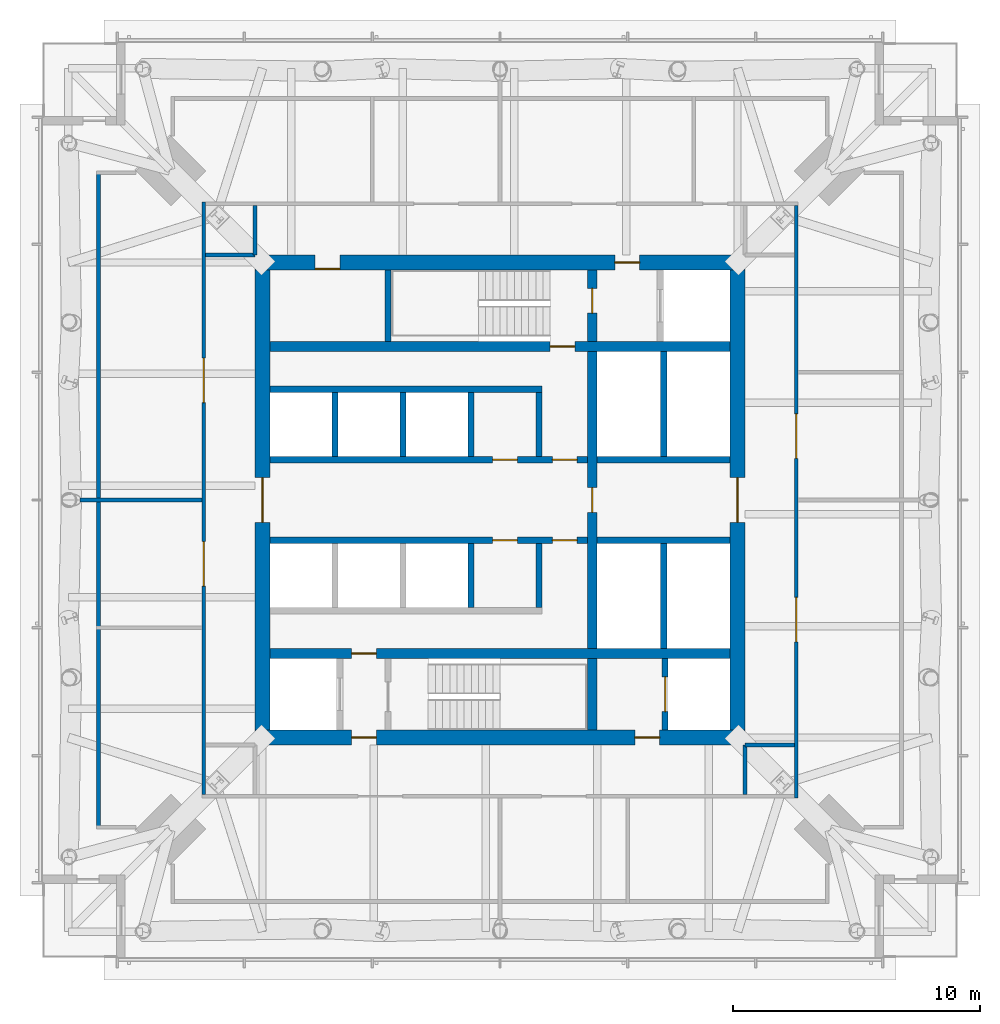
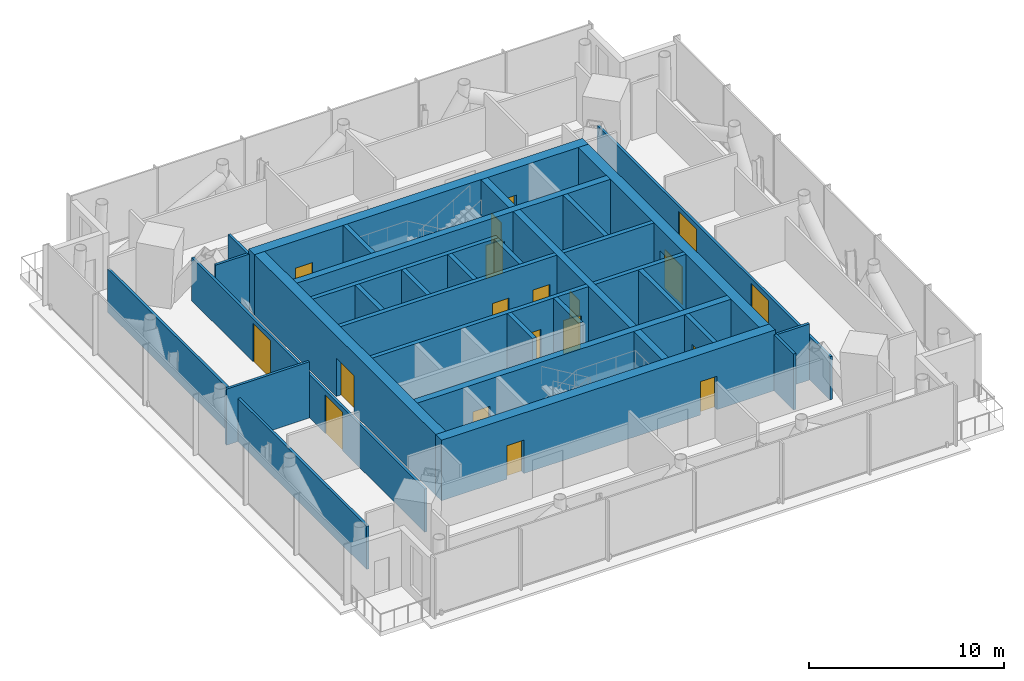
# One storey, part 5 of 10: 32 walls, 19 doors, 19 openings.
"""IFC4 building model written with IfcOpenShell, lengths in metres."""

import ifcopenshell
import ifcopenshell.guid

model = None  # the IFC model being written
_history = None  # IfcOwnerHistory: only IFC2X3 demands one
_inside = {}  # id of a spatial element -> (the spatial element, [elements in it])
_under = {}  # id of a project, library or spatial element -> (it, [spatial elements below it])
_declared = {}  # id of a project -> (the project, [libraries it declares])
_typed = {}  # id of a type object -> (the type object, [elements of that type])
_made_of = {}  # id of a material, layer set ... -> (it, [elements and type objects made of it])


def new_model(schema):
    """Start an empty IFC model of exactly this schema.

    Asked for "IFC4X3", IfcOpenShell would pick the latest addendum, in which some entities
    have other attributes; the version numbers below select the first issue.
    IFC2X3 requires an IfcOwnerHistory on every rooted entity: one is made here for all.
    """
    global model, _history
    if schema == "IFC4X3":
        model = ifcopenshell.file(schema_version=(4, 3, 0, 0))
    else:
        model = ifcopenshell.file(schema=schema)
    _inside.clear()
    _under.clear()
    _declared.clear()
    _typed.clear()
    _made_of.clear()
    _history = None
    if model.schema == "IFC2X3":
        org = make("IfcOrganization", Name="unknown")
        user = make(
            "IfcPersonAndOrganization",
            ThePerson=make("IfcPerson", FamilyName="unknown"),
            TheOrganization=org,
        )
        app = make(
            "IfcApplication",
            ApplicationDeveloper=org,
            Version="unknown",
            ApplicationFullName="unknown",
            ApplicationIdentifier="unknown",
        )
        _history = make(
            "IfcOwnerHistory",
            OwningUser=user,
            OwningApplication=app,
            ChangeAction="ADDED",
            CreationDate=0,
        )
    return model


def make(cls, **values):
    """One entity of the class cls with the attributes given. An attribute that is None is left unset."""
    return model.create_entity(
        cls, **{name: value for name, value in values.items() if value is not None}
    )


def rooted(cls, **values):
    """An entity with a GlobalId (a new one), such as an element, a storey or a relation."""
    return make(cls, GlobalId=ifcopenshell.guid.new(), OwnerHistory=_history, **values)


def si_unit(unit_type, name, prefix=None):
    """IfcSIUnit, for example si_unit("LENGTHUNIT", "METRE", prefix="MILLI")."""
    return make("IfcSIUnit", UnitType=unit_type, Prefix=prefix, Name=name)


def assignment(units):
    """IfcUnitAssignment: the units of a project."""
    return None if units is None else make("IfcUnitAssignment", Units=units)


def point(xyz):
    """IfcCartesianPoint."""
    return None if xyz is None else make("IfcCartesianPoint", Coordinates=xyz)


def direction(xyz):
    """IfcDirection."""
    return None if xyz is None else make("IfcDirection", DirectionRatios=xyz)


def frame(location, z_axis=None, x_axis=None):
    """IfcAxis2Placement3D, a coordinate frame: its origin and axes. An axis left out is left unset."""
    return make(
        "IfcAxis2Placement3D",
        Location=point(location),
        Axis=direction(z_axis),
        RefDirection=direction(x_axis),
    )


def frame_2d(location, x_axis=None):
    """IfcAxis2Placement2D, a coordinate frame in the plane: its origin and x axis."""
    return make(
        "IfcAxis2Placement2D", Location=point(location), RefDirection=direction(x_axis)
    )


def origin():
    """The frame at (0, 0, 0) with its axes left unset."""
    return frame((0.0, 0.0, 0.0))


def place(relative_to, where):
    """IfcLocalPlacement: puts the frame where relative to a parent placement (None: the world)."""
    return make(
        "IfcLocalPlacement", PlacementRelTo=relative_to, RelativePlacement=where
    )


def context(
    kind, dimensions, precision=None, world=None, true_north=None, identifier=None
):
    """IfcGeometricRepresentationContext, for example the 3D "Model" context."""
    return make(
        "IfcGeometricRepresentationContext",
        ContextIdentifier=identifier,
        ContextType=kind,
        CoordinateSpaceDimension=dimensions,
        Precision=precision,
        WorldCoordinateSystem=world,
        TrueNorth=true_north,
    )


def subcontext(parent, identifier, kind, view, scale=None):
    """IfcGeometricRepresentationSubContext, for example "Body" below "Model"."""
    return make(
        "IfcGeometricRepresentationSubContext",
        ContextIdentifier=identifier,
        ContextType=kind,
        ParentContext=parent,
        TargetScale=scale,
        TargetView=view,
    )


def project(units=None, contexts=None):
    """IfcProject with its units and contexts."""
    return rooted(
        "IfcProject",
        Name="project",
        RepresentationContexts=contexts,
        UnitsInContext=assignment(units),
    )


def spatial(cls, under=None, at=None, **own):
    """A site, building, storey or space (cls), placed at a placement, below another one or the project."""
    s = rooted(cls, ObjectPlacement=at, **own)
    if under is not None:
        _under.setdefault(under.id(), (under, []))[1].append(s)
    return s


def profile(cls, at=None, kind="AREA", **sizes):
    """A parametric profile (cls). Its sizes go by their IFC names, for example OverallWidth=200.0."""
    return make(cls, ProfileType=kind, Position=at, **sizes)


def rectangle(**sizes):
    """IfcRectangleProfileDef."""
    return profile("IfcRectangleProfileDef", **sizes)


def extrude(swept, where, along, depth):
    """IfcExtrudedAreaSolid: the profile swept, set in the frame where, extruded along a direction by depth."""
    return make(
        "IfcExtrudedAreaSolid",
        SweptArea=swept,
        Position=where,
        ExtrudedDirection=direction(along),
        Depth=depth,
    )


def shape(context_of_items, identifier, shape_type, items):
    """IfcShapeRepresentation: the items that make up one representation, for example the "Body"."""
    return make(
        "IfcShapeRepresentation",
        ContextOfItems=context_of_items,
        RepresentationIdentifier=identifier,
        RepresentationType=shape_type,
        Items=items,
    )


def material(Name=None, Category=None):
    """IfcMaterial."""
    return make("IfcMaterial", Name=Name, Category=Category)


def layer(
    of_material, thickness, ventilated=None, Name=None, Category=None, Priority=None
):
    """IfcMaterialLayer: one layer of a wall or slab, of a material (None: an air gap)."""
    return make(
        "IfcMaterialLayer",
        Material=of_material,
        LayerThickness=thickness,
        IsVentilated=ventilated,
        Name=Name,
        Category=Category,
        Priority=Priority,
    )


def layer_set(layers, Name=None):
    """IfcMaterialLayerSet."""
    return make("IfcMaterialLayerSet", MaterialLayers=layers, LayerSetName=Name)


def made_of(thing, what):
    """Note that an element or type object is made of a material, layer set ...; save() writes the relation."""
    if what is not None:
        _made_of.setdefault(what.id(), (what, []))[1].append(thing)
    return thing


def type_object(cls, material=None, **own):
    """A type object (cls), such as IfcWallType, which elements share."""
    return made_of(rooted(cls, **own), material)


def element(
    cls,
    number,
    at=None,
    inside=None,
    cuts=None,
    type_object=None,
    material=None,
    context=None,
    identifier="Body",
    shape_type=None,
    held_by="IfcProductDefinitionShape",
    body=None,
    shapes=None,
    **own,
):
    """One element of the class cls, such as IfcWall. Its Tag is "e" and its number.

    at: its placement. inside: the storey or other place that contains it. cuts: it is an
    opening in that element (IfcRelVoidsElement). A single representation is given by context,
    identifier, shape_type and body (its items); several are given by shapes. held_by: the class
    of the entity that holds the representations. save() writes the other relations.
    """
    e = rooted(cls, Tag="e%d" % number, ObjectPlacement=at, **own)
    if body is not None:
        shapes = [shape(context, identifier, shape_type, body)]
    if shapes is not None:
        e.Representation = make(held_by, Representations=shapes)
    if inside is not None:
        _inside.setdefault(inside.id(), (inside, []))[1].append(e)
    if cuts is not None:
        rooted(
            "IfcRelVoidsElement", RelatingBuildingElement=cuts, RelatedOpeningElement=e
        )
    if type_object is not None:
        _typed.setdefault(type_object.id(), (type_object, []))[1].append(e)
    return made_of(e, material)


def fill(opening, filler):
    """IfcRelFillsElement: the door or window that sits in an opening."""
    return rooted(
        "IfcRelFillsElement",
        RelatingOpeningElement=opening,
        RelatedBuildingElement=filler,
    )


def aggregate(whole, parts):
    """IfcRelAggregates: a whole, such as a stair, and the parts it consists of."""
    return rooted("IfcRelAggregates", RelatingObject=whole, RelatedObjects=parts)


def save(model, path):
    """Write the relations noted so far, then the file.

    IfcRelAggregates (storeys below a building ...), IfcRelContainedInSpatialStructure (elements
    in a storey), IfcRelDefinesByType, IfcRelAssociatesMaterial and IfcRelDeclares: one each for
    every whole, place, type object, material and project.
    """
    for whole, parts in _under.values():
        aggregate(whole, parts)
    for where, things in _inside.values():
        rooted(
            "IfcRelContainedInSpatialStructure",
            RelatedElements=things,
            RelatingStructure=where,
        )
    for kind, things in _typed.values():
        rooted("IfcRelDefinesByType", RelatedObjects=things, RelatingType=kind)
    for what, things in _made_of.values():
        rooted("IfcRelAssociatesMaterial", RelatedObjects=things, RelatingMaterial=what)
    for by, libraries in _declared.values():
        rooted("IfcRelDeclares", RelatingContext=by, RelatedDefinitions=libraries)
    model.write(path)


model = new_model("IFC4")

# Units and contexts
model_context = context("Model", 3, precision=1e-05, world=origin(), true_north=direction((0.0, 1.0)))
body_context = subcontext(model_context, "Body", "Model", "MODEL_VIEW")
ifc_project = project(units=[si_unit("LENGTHUNIT", "METRE"), si_unit("AREAUNIT", "SQUARE_METRE"), si_unit("VOLUMEUNIT", "CUBIC_METRE"), si_unit("PLANEANGLEUNIT", "RADIAN"), si_unit("MASSUNIT", "GRAM", prefix="KILO")], contexts=[model_context])

# Site, building, storey
site_placement = place(None, origin())
site = spatial("IfcSite", under=ifc_project, at=site_placement, CompositionType="ELEMENT")
building_placement = place(site_placement, origin())
building = spatial("IfcBuilding", under=site, at=building_placement, Name="Ostroluk Exchange", CompositionType="ELEMENT")
storey_placement = place(building_placement, frame((0.0, 0.0, 226.199951171875)))
storey = spatial("IfcBuildingStorey", under=building, at=storey_placement, Name="L58", CompositionType="ELEMENT", Elevation=226.199951171875)

# Wall, openings, doors
ifc_material_1 = material(Name="Concrete blockwork", Category="masonry")
ifc_layer_1 = layer(ifc_material_1, 0.14990234375)
ifc_layer_set_1 = layer_set([ifc_layer_1], Name="Blockwork plant room wall 150")
wall_type_1 = type_object("IfcWallType", Name="Blockwork plant room wall 150", PredefinedType="SOLIDWALL", material=ifc_layer_set_1)
wall_1_placement = place(storey_placement, frame((56.97509765625, 33.949951171875, 0.0), z_axis=(0.0, 0.0, 1.0), x_axis=(0.0, 1.0, 0.0)))
wall_1 = element("IfcWall", 1, at=wall_1_placement, inside=storey, type_object=wall_type_1, Name="Plant room wall", PredefinedType="SOLIDWALL", context=body_context, shape_type="SweptSolid", body=[
    extrude(rectangle(XDim=23.949951171875, YDim=0.14990234375, at=frame_2d((11.97509765625, 0.0))), origin(), (0.0, 0.0, 1.0), 2.7060546875),
])
opening_1_placement = place(wall_1_placement, frame((6.3125, 0.0, 0.0)))
opening_1 = element("IfcOpeningElement", 2, at=opening_1_placement, cuts=wall_1, Name="Opening D-05", PredefinedType="OPENING", context=body_context, shape_type="SweptSolid", body=[
    extrude(rectangle(XDim=1.800048828125, YDim=2.39990234375, at=frame_2d((0.89990234375, 1.199951171875))), frame((0.0, 0.0849609375, 0.0), z_axis=(0.0, -1.0, 0.0), x_axis=(1.0, 0.0, 0.0)), (0.0, 0.0, 1.0), 0.169921875),
])
opening_2_placement = place(wall_1_placement, frame((13.7333984375, 0.0, 0.0)))
opening_2 = element("IfcOpeningElement", 3, at=opening_2_placement, cuts=wall_1, Name="Opening D-05", PredefinedType="OPENING", context=body_context, shape_type="SweptSolid", body=[
    extrude(rectangle(XDim=1.800048828125, YDim=2.39990234375, at=frame_2d((0.89990234375, 1.199951171875))), frame((0.0, 0.0849609375, 0.0), z_axis=(0.0, -1.0, 0.0), x_axis=(1.0, 0.0, 0.0)), (0.0, 0.0, 1.0), 0.169921875),
])
ifc_material_2 = material(Name="Steel", Category="steel")
door_type_1 = type_object("IfcDoorType", Name="Plant room double door EI 60 1800 x 2400", OperationType="DOUBLE_DOOR_SINGLE_SWING", PredefinedType="DOOR", material=ifc_material_2)
door_1_placement = place(opening_1_placement, origin())
door_1 = element("IfcDoor", 4, at=door_1_placement, inside=storey, type_object=door_type_1, Name="AHU room door", OperationType="DOUBLE_DOOR_SINGLE_SWING", OverallHeight=2.39990234375, OverallWidth=1.800048828125, PredefinedType="DOOR", context=body_context, shape_type="SweptSolid", body=[
    extrude(rectangle(XDim=1.800048828125, YDim=2.39990234375, at=frame_2d((0.89990234375, 1.199951171875))), frame((0.0, 0.02490234375, 0.0), z_axis=(0.0, -1.0, 0.0), x_axis=(1.0, 0.0, 0.0)), (0.0, 0.0, 1.0), 0.050048828125),
])
fill(opening_1, door_1)
door_2_placement = place(opening_2_placement, origin())
door_2 = element("IfcDoor", 5, at=door_2_placement, inside=storey, type_object=door_type_1, Name="Smoke extract fan room door", OperationType="DOUBLE_DOOR_SINGLE_SWING", OverallHeight=2.39990234375, OverallWidth=1.800048828125, PredefinedType="DOOR", context=body_context, shape_type="SweptSolid", body=[
    extrude(rectangle(XDim=1.800048828125, YDim=2.39990234375, at=frame_2d((0.89990234375, 1.199951171875))), frame((0.0, 0.02490234375, 0.0), z_axis=(0.0, -1.0, 0.0), x_axis=(1.0, 0.0, 0.0)), (0.0, 0.0, 1.0), 0.050048828125),
])
fill(opening_2, door_2)

# Wall
wall_2_placement = place(storey_placement, frame((32.949951171875, 46.0, 0.0), z_axis=(0.0, 0.0, 1.0), x_axis=(-1.0, 0.0, 0.0)))
element("IfcWall", 6, at=wall_2_placement, inside=storey, type_object=wall_type_1, Name="Plant room wall", PredefinedType="SOLIDWALL", context=body_context, shape_type="SweptSolid", body=[
    extrude(rectangle(XDim=4.919921875, YDim=0.14990234375, at=frame_2d((2.4599609375, 0.0))), origin(), (0.0, 0.0, 1.0), 3.52001953125),
])

# Wall, openings, doors
wall_3_placement = place(storey_placement, frame((33.02490234375, 58.050048828125, 0.0), z_axis=(0.0, 0.0, 1.0), x_axis=(0.0, -1.0, 0.0)))
wall_3 = element("IfcWall", 7, at=wall_3_placement, inside=storey, type_object=wall_type_1, Name="Plant room wall", PredefinedType="SOLIDWALL", context=body_context, shape_type="SweptSolid", body=[
    extrude(rectangle(XDim=23.949951171875, YDim=0.14990234375, at=frame_2d((11.97509765625, 0.0))), origin(), (0.0, 0.0, 1.0), 2.7060546875),
])
opening_3_placement = place(wall_3_placement, frame((6.3125, 0.0, 0.0)))
opening_3 = element("IfcOpeningElement", 8, at=opening_3_placement, cuts=wall_3, Name="Opening D-05", PredefinedType="OPENING", context=body_context, shape_type="SweptSolid", body=[
    extrude(rectangle(XDim=1.800048828125, YDim=2.39990234375, at=frame_2d((0.89990234375, 1.199951171875))), frame((0.0, 0.0849609375, 0.0), z_axis=(0.0, -1.0, 0.0), x_axis=(1.0, 0.0, 0.0)), (0.0, 0.0, 1.0), 0.169921875),
])
opening_4_placement = place(wall_3_placement, frame((13.7333984375, 0.0, 0.0)))
opening_4 = element("IfcOpeningElement", 9, at=opening_4_placement, cuts=wall_3, Name="Opening D-05", PredefinedType="OPENING", context=body_context, shape_type="SweptSolid", body=[
    extrude(rectangle(XDim=1.800048828125, YDim=2.39990234375, at=frame_2d((0.89990234375, 1.199951171875))), frame((0.0, 0.0849609375, 0.0), z_axis=(0.0, -1.0, 0.0), x_axis=(1.0, 0.0, 0.0)), (0.0, 0.0, 1.0), 0.169921875),
])
door_3_placement = place(opening_3_placement, origin())
door_3 = element("IfcDoor", 10, at=door_3_placement, inside=storey, type_object=door_type_1, Name="Electrical switch room door", OperationType="DOUBLE_DOOR_SINGLE_SWING", OverallHeight=2.39990234375, OverallWidth=1.800048828125, PredefinedType="DOOR", context=body_context, shape_type="SweptSolid", body=[
    extrude(rectangle(XDim=1.800048828125, YDim=2.39990234375, at=frame_2d((0.89990234375, 1.199951171875))), frame((0.0, 0.02490234375, 0.0), z_axis=(0.0, -1.0, 0.0), x_axis=(1.0, 0.0, 0.0)), (0.0, 0.0, 1.0), 0.050048828125),
])
fill(opening_3, door_3)
door_4_placement = place(opening_4_placement, origin())
door_4 = element("IfcDoor", 11, at=door_4_placement, inside=storey, type_object=door_type_1, Name="Transformer room door", OperationType="DOUBLE_DOOR_SINGLE_SWING", OverallHeight=2.39990234375, OverallWidth=1.800048828125, PredefinedType="DOOR", context=body_context, shape_type="SweptSolid", body=[
    extrude(rectangle(XDim=1.800048828125, YDim=2.39990234375, at=frame_2d((0.89990234375, 1.199951171875))), frame((0.0, 0.02490234375, 0.0), z_axis=(0.0, -1.0, 0.0), x_axis=(1.0, 0.0, 0.0)), (0.0, 0.0, 1.0), 0.050048828125),
])
fill(opening_4, door_4)

# Wall, opening, door
ifc_material_3 = material(Name="Concrete C50/60", Category="concrete")
ifc_layer_2 = layer(ifc_material_3, 0.39990234375)
ifc_layer_set_2 = layer_set([ifc_layer_2], Name="Core cross wall 400 C50/60")
wall_type_2 = type_object("IfcWallType", Name="Core cross wall 400 C50/60", PredefinedType="SHEAR", material=ifc_layer_set_2)
wall_4_placement = place(storey_placement, frame((35.699951171875, 39.800048828125, 0.0), z_axis=(0.0, 0.0, 1.0), x_axis=(1.0, 0.0, 0.0)))
wall_4 = element("IfcWall", 12, at=wall_4_placement, inside=storey, type_object=wall_type_2, Name="T1 core wall XS", PredefinedType="SHEAR", context=body_context, shape_type="SweptSolid", body=[
    extrude(rectangle(XDim=18.60009765625, YDim=0.39990234375, at=frame_2d((9.300048828125, 0.0))), origin(), (0.0, 0.0, 1.0), 3.800048828125),
])
opening_5_placement = place(wall_4_placement, frame((3.300048828125, 0.0, 0.0)))
opening_5 = element("IfcOpeningElement", 13, at=opening_5_placement, cuts=wall_4, Name="Opening FD60", PredefinedType="OPENING", context=body_context, shape_type="SweptSolid", body=[
    extrude(rectangle(XDim=1.0, YDim=2.10009765625, at=frame_2d((0.5, 1.050048828125))), frame((0.0, 0.2099609375, 0.0), z_axis=(0.0, -1.0, 0.0), x_axis=(1.0, 0.0, 0.0)), (0.0, 0.0, 1.0), 0.419921875),
])
ifc_material_4 = material(Name="Steel", Category="steel")
door_type_2 = type_object("IfcDoorType", Name="Fire door EI 60 1000 x 2100", OperationType="SINGLE_SWING_LEFT", PredefinedType="DOOR", material=ifc_material_4)
door_5_placement = place(opening_5_placement, origin())
door_5 = element("IfcDoor", 14, at=door_5_placement, inside=storey, type_object=door_type_2, Name="Core link door", OperationType="SINGLE_SWING_LEFT", OverallHeight=2.10009765625, OverallWidth=1.0, PredefinedType="DOOR", context=body_context, shape_type="SweptSolid", body=[
    extrude(rectangle(XDim=1.0, YDim=2.10009765625, at=frame_2d((0.5, 1.050048828125))), frame((0.0, 0.02490234375, 0.0), z_axis=(0.0, -1.0, 0.0), x_axis=(1.0, 0.0, 0.0)), (0.0, 0.0, 1.0), 0.050048828125),
])
fill(opening_5, door_5)

wall_5_placement = place(storey_placement, frame((35.699951171875, 52.199951171875, 0.0), z_axis=(0.0, 0.0, 1.0), x_axis=(1.0, 0.0, 0.0)))
wall_5 = element("IfcWall", 15, at=wall_5_placement, inside=storey, type_object=wall_type_2, Name="T1 core wall XN", PredefinedType="SHEAR", context=body_context, shape_type="SweptSolid", body=[
    extrude(rectangle(XDim=18.60009765625, YDim=0.39990234375, at=frame_2d((9.300048828125, 0.0))), origin(), (0.0, 0.0, 1.0), 3.800048828125),
])
opening_6_placement = place(wall_5_placement, frame((11.330078125, 0.0, 0.0)))
opening_6 = element("IfcOpeningElement", 16, at=opening_6_placement, cuts=wall_5, Name="Opening FD60", PredefinedType="OPENING", context=body_context, shape_type="SweptSolid", body=[
    extrude(rectangle(XDim=1.0, YDim=2.10009765625, at=frame_2d((0.5, 1.050048828125))), frame((0.0, 0.2099609375, 0.0), z_axis=(0.0, -1.0, 0.0), x_axis=(1.0, 0.0, 0.0)), (0.0, 0.0, 1.0), 0.419921875),
])
door_6_placement = place(opening_6_placement, origin())
door_6 = element("IfcDoor", 17, at=door_6_placement, inside=storey, type_object=door_type_2, Name="Stair T1-S2 lobby door", OperationType="SINGLE_SWING_RIGHT", OverallHeight=2.10009765625, OverallWidth=1.0, PredefinedType="DOOR", context=body_context, shape_type="SweptSolid", body=[
    extrude(rectangle(XDim=1.0, YDim=2.10009765625, at=frame_2d((0.5, 1.050048828125))), frame((0.0, 0.02490234375, 0.0), z_axis=(0.0, -1.0, 0.0), x_axis=(1.0, 0.0, 0.0)), (0.0, 0.0, 1.0), 0.050048828125),
])
fill(opening_6, door_6)

# Wall
wall_6_placement = place(storey_placement, frame((48.72998046875, 36.699951171875, 0.0), z_axis=(0.0, 0.0, 1.0), x_axis=(0.0, 1.0, 0.0)))
element("IfcWall", 18, at=wall_6_placement, inside=storey, type_object=wall_type_2, Name="T1 core wall YE1", PredefinedType="SHEAR", context=body_context, shape_type="SweptSolid", body=[
    extrude(rectangle(XDim=2.900146484375, YDim=0.39990234375, at=frame_2d((1.4501953125, 0.0))), origin(), (0.0, 0.0, 1.0), 3.800048828125),
])

# Wall, opening, door
wall_7_placement = place(storey_placement, frame((48.72998046875, 40.0, 0.0), z_axis=(0.0, 0.0, 1.0), x_axis=(0.0, 1.0, 0.0)))
wall_7 = element("IfcWall", 19, at=wall_7_placement, inside=storey, type_object=wall_type_2, Name="T1 core wall YE2", PredefinedType="SHEAR", context=body_context, shape_type="SweptSolid", body=[
    extrude(rectangle(XDim=12.0, YDim=0.39990234375, at=frame_2d((6.0, 0.0))), origin(), (0.0, 0.0, 1.0), 3.800048828125),
])
opening_7_placement = place(wall_7_placement, frame((5.5, 0.0, 0.0)))
opening_7 = element("IfcOpeningElement", 20, at=opening_7_placement, cuts=wall_7, Name="Opening FD60", PredefinedType="OPENING", context=body_context, shape_type="SweptSolid", body=[
    extrude(rectangle(XDim=1.0, YDim=2.10009765625, at=frame_2d((0.5, 1.050048828125))), frame((0.0, 0.2099609375, 0.0), z_axis=(0.0, -1.0, 0.0), x_axis=(1.0, 0.0, 0.0)), (0.0, 0.0, 1.0), 0.419921875),
])
door_7_placement = place(opening_7_placement, origin())
door_7 = element("IfcDoor", 21, at=door_7_placement, inside=storey, type_object=door_type_2, Name="Core link door", OperationType="SINGLE_SWING_LEFT", OverallHeight=2.10009765625, OverallWidth=1.0, PredefinedType="DOOR", context=body_context, shape_type="SweptSolid", body=[
    extrude(rectangle(XDim=1.0, YDim=2.10009765625, at=frame_2d((0.5, 1.050048828125))), frame((0.0, 0.02490234375, 0.0), z_axis=(0.0, -1.0, 0.0), x_axis=(1.0, 0.0, 0.0)), (0.0, 0.0, 1.0), 0.050048828125),
])
fill(opening_7, door_7)

wall_8_placement = place(storey_placement, frame((48.72998046875, 52.39990234375, 0.0), z_axis=(0.0, 0.0, 1.0), x_axis=(0.0, 1.0, 0.0)))
wall_8 = element("IfcWall", 22, at=wall_8_placement, inside=storey, type_object=wall_type_2, Name="T1 core wall YE3", PredefinedType="SHEAR", context=body_context, shape_type="SweptSolid", body=[
    extrude(rectangle(XDim=2.900146484375, YDim=0.39990234375, at=frame_2d((1.4501953125, 0.0))), origin(), (0.0, 0.0, 1.0), 3.800048828125),
])
opening_8_placement = place(wall_8_placement, frame((1.14990234375, 0.0, 0.0)))
opening_8 = element("IfcOpeningElement", 23, at=opening_8_placement, cuts=wall_8, Name="Opening FD60", PredefinedType="OPENING", context=body_context, shape_type="SweptSolid", body=[
    extrude(rectangle(XDim=1.0, YDim=2.10009765625, at=frame_2d((0.5, 1.050048828125))), frame((0.0, 0.2099609375, 0.0), z_axis=(0.0, -1.0, 0.0), x_axis=(1.0, 0.0, 0.0)), (0.0, 0.0, 1.0), 0.419921875),
])
door_8_placement = place(opening_8_placement, origin())
door_8 = element("IfcDoor", 24, at=door_8_placement, inside=storey, type_object=door_type_2, Name="Stair T1-S2 door", OperationType="SINGLE_SWING_RIGHT", OverallHeight=2.10009765625, OverallWidth=1.0, PredefinedType="DOOR", context=body_context, shape_type="SweptSolid", body=[
    extrude(rectangle(XDim=1.0, YDim=2.10009765625, at=frame_2d((0.5, 1.050048828125))), frame((0.0, 0.02490234375, 0.0), z_axis=(0.0, -1.0, 0.0), x_axis=(1.0, 0.0, 0.0)), (0.0, 0.0, 1.0), 0.050048828125),
])
fill(opening_8, door_8)

ifc_material_5 = material(Name="Concrete C40/50", Category="concrete")
ifc_layer_3 = layer(ifc_material_5, 0.25)
ifc_layer_set_3 = layer_set([ifc_layer_3], Name="Core shaft wall 250")
wall_type_3 = type_object("IfcWallType", Name="Core shaft wall 250", PredefinedType="SHEAR", material=ifc_layer_set_3)
wall_9_placement = place(storey_placement, frame((51.675048828125, 36.699951171875, 0.0), z_axis=(0.0, 0.0, 1.0), x_axis=(0.0, 1.0, 0.0)))
wall_9 = element("IfcWall", 25, at=wall_9_placement, inside=storey, type_object=wall_type_3, Name="Service lift shaft wall", PredefinedType="SHEAR", context=body_context, shape_type="SweptSolid", body=[
    extrude(rectangle(XDim=2.900146484375, YDim=0.25, at=frame_2d((1.4501953125, 0.0))), origin(), (0.0, 0.0, 1.0), 3.800048828125),
])
opening_9_placement = place(wall_9_placement, frame((0.75, 0.0, 0.0)))
opening_9 = element("IfcOpeningElement", 26, at=opening_9_placement, cuts=wall_9, Name="Opening LD3", PredefinedType="OPENING", context=body_context, shape_type="SweptSolid", body=[
    extrude(rectangle(XDim=1.39990234375, YDim=2.39990234375, at=frame_2d((0.699951171875, 1.199951171875))), frame((0.0, 0.135009765625, 0.0), z_axis=(0.0, -1.0, 0.0), x_axis=(1.0, 0.0, 0.0)), (0.0, 0.0, 1.0), 0.27001953125),
])
ifc_material_6 = material(Name="Stainless steel", Category="steel")
door_type_3 = type_object("IfcDoorType", Name="Goods lift landing door E 60 1400 x 2400", OperationType="DOUBLE_DOOR_SLIDING", PredefinedType="DOOR", material=ifc_material_6)
door_9_placement = place(opening_9_placement, origin())
door_9 = element("IfcDoor", 27, at=door_9_placement, inside=storey, type_object=door_type_3, Name="Lift SL1 landing door", OperationType="DOUBLE_DOOR_SLIDING", OverallHeight=2.39990234375, OverallWidth=1.39990234375, PredefinedType="DOOR", context=body_context, shape_type="SweptSolid", body=[
    extrude(rectangle(XDim=1.39990234375, YDim=2.39990234375, at=frame_2d((0.699951171875, 1.199951171875))), frame((0.0, 0.02490234375, 0.0), z_axis=(0.0, -1.0, 0.0), x_axis=(1.0, 0.0, 0.0)), (0.0, 0.0, 1.0), 0.050048828125),
])
fill(opening_9, door_9)

# Walls
wall_10_placement = place(storey_placement, frame((40.47509765625, 52.39990234375, 0.0), z_axis=(0.0, 0.0, 1.0), x_axis=(0.0, 1.0, 0.0)))
element("IfcWall", 28, at=wall_10_placement, inside=storey, type_object=wall_type_3, Name="Stair shaft wall", PredefinedType="SHEAR", context=body_context, shape_type="SweptSolid", body=[
    extrude(rectangle(XDim=2.900146484375, YDim=0.25, at=frame_2d((1.4501953125, 0.0))), origin(), (0.0, 0.0, 1.0), 3.800048828125),
])
for number, where, z_axis, x_axis, name in (
    (29, (38.324951171875, 47.75, 0.0), (0.0, 0.0, 1.0), (0.0, 1.0, 0.0), "Lift shaft wall"),
    (30, (41.074951171875, 47.75, 0.0), (0.0, 0.0, 1.0), (0.0, 1.0, 0.0), "Lift shaft wall"),
    (31, (43.824951171875, 47.75, 0.0), (0.0, 0.0, 1.0), (0.0, 1.0, 0.0), "Lift shaft wall"),
    (32, (46.574951171875, 47.75, 0.0), (0.0, 0.0, 1.0), (0.0, 1.0, 0.0), "Lift shaft wall"),
):
    element("IfcWall", number, at=place(storey_placement, frame(where, z_axis=z_axis, x_axis=x_axis)), inside=storey, type_object=wall_type_3, Name=name, PredefinedType="SHEAR", context=body_context, shape_type="SweptSolid", body=[
        extrude(rectangle(XDim=2.60009765625, YDim=0.25, at=frame_2d((1.300048828125, 0.0))), origin(), (0.0, 0.0, 1.0), 3.800048828125),
    ])
wall_11_placement = place(storey_placement, frame((35.699951171875, 50.47509765625, 0.0), z_axis=(0.0, 0.0, 1.0), x_axis=(1.0, 0.0, 0.0)))
element("IfcWall", 33, at=wall_11_placement, inside=storey, type_object=wall_type_3, Name="Lift shaft wall", PredefinedType="SHEAR", context=body_context, shape_type="SweptSolid", body=[
    extrude(rectangle(XDim=11.0, YDim=0.25, at=frame_2d((5.5, 0.0))), origin(), (0.0, 0.0, 1.0), 3.800048828125),
])

# Wall, openings, doors
wall_12_placement = place(storey_placement, frame((35.699951171875, 47.625, 0.0), z_axis=(0.0, 0.0, 1.0), x_axis=(1.0, 0.0, 0.0)))
wall_12 = element("IfcWall", 34, at=wall_12_placement, inside=storey, type_object=wall_type_3, Name="Lift shaft front wall", PredefinedType="SHEAR", context=body_context, shape_type="SweptSolid", body=[
    extrude(rectangle(XDim=12.830078125, YDim=0.25, at=frame_2d((6.4150390625, 0.0))), origin(), (0.0, 0.0, 1.0), 3.800048828125),
])
opening_10_placement = place(wall_12_placement, frame((9.0, 0.0, 0.0)))
opening_10 = element("IfcOpeningElement", 35, at=opening_10_placement, cuts=wall_12, Name="Opening FD60", PredefinedType="OPENING", context=body_context, shape_type="SweptSolid", body=[
    extrude(rectangle(XDim=1.0, YDim=2.10009765625, at=frame_2d((0.5, 1.050048828125))), frame((0.0, 0.135009765625, 0.0), z_axis=(0.0, -1.0, 0.0), x_axis=(1.0, 0.0, 0.0)), (0.0, 0.0, 1.0), 0.27001953125),
])
opening_11_placement = place(wall_12_placement, frame((11.4150390625, 0.0, 0.0)))
opening_11 = element("IfcOpeningElement", 36, at=opening_11_placement, cuts=wall_12, Name="Opening FD60", PredefinedType="OPENING", context=body_context, shape_type="SweptSolid", body=[
    extrude(rectangle(XDim=1.0, YDim=2.10009765625, at=frame_2d((0.5, 1.050048828125))), frame((0.0, 0.135009765625, 0.0), z_axis=(0.0, -1.0, 0.0), x_axis=(1.0, 0.0, 0.0)), (0.0, 0.0, 1.0), 0.27001953125),
])
door_10_placement = place(opening_10_placement, origin())
door_10 = element("IfcDoor", 37, at=door_10_placement, inside=storey, type_object=door_type_2, Name="Core room door", OperationType="SINGLE_SWING_RIGHT", OverallHeight=2.10009765625, OverallWidth=1.0, PredefinedType="DOOR", context=body_context, shape_type="SweptSolid", body=[
    extrude(rectangle(XDim=1.0, YDim=2.10009765625, at=frame_2d((0.5, 1.050048828125))), frame((0.0, 0.02490234375, 0.0), z_axis=(0.0, -1.0, 0.0), x_axis=(1.0, 0.0, 0.0)), (0.0, 0.0, 1.0), 0.050048828125),
])
fill(opening_10, door_10)
door_11_placement = place(opening_11_placement, origin())
door_11 = element("IfcDoor", 38, at=door_11_placement, inside=storey, type_object=door_type_2, Name="Core link door", OperationType="SINGLE_SWING_RIGHT", OverallHeight=2.10009765625, OverallWidth=1.0, PredefinedType="DOOR", context=body_context, shape_type="SweptSolid", body=[
    extrude(rectangle(XDim=1.0, YDim=2.10009765625, at=frame_2d((0.5, 1.050048828125))), frame((0.0, 0.02490234375, 0.0), z_axis=(0.0, -1.0, 0.0), x_axis=(1.0, 0.0, 0.0)), (0.0, 0.0, 1.0), 0.050048828125),
])
fill(opening_11, door_11)

# Walls
for number, where, z_axis, x_axis, name in (
    (39, (43.824951171875, 44.25, 0.0), (0.0, 0.0, 1.0), (0.0, -1.0, 0.0), "Lift shaft wall"),
    (40, (46.574951171875, 44.25, 0.0), (0.0, 0.0, 1.0), (0.0, -1.0, 0.0), "Lift shaft wall"),
):
    element("IfcWall", number, at=place(storey_placement, frame(where, z_axis=z_axis, x_axis=x_axis)), inside=storey, type_object=wall_type_3, Name=name, PredefinedType="SHEAR", context=body_context, shape_type="SweptSolid", body=[
        extrude(rectangle(XDim=2.60009765625, YDim=0.25, at=frame_2d((1.300048828125, 0.0))), origin(), (0.0, 0.0, 1.0), 3.800048828125),
    ])

# Wall, openings, doors
wall_13_placement = place(storey_placement, frame((35.699951171875, 44.375, 0.0), z_axis=(0.0, 0.0, 1.0), x_axis=(1.0, 0.0, 0.0)))
wall_13 = element("IfcWall", 41, at=wall_13_placement, inside=storey, type_object=wall_type_3, Name="Lift shaft front wall", PredefinedType="SHEAR", context=body_context, shape_type="SweptSolid", body=[
    extrude(rectangle(XDim=12.830078125, YDim=0.25, at=frame_2d((6.4150390625, 0.0))), origin(), (0.0, 0.0, 1.0), 3.800048828125),
])
opening_12_placement = place(wall_13_placement, frame((9.0, 0.0, 0.0)))
opening_12 = element("IfcOpeningElement", 42, at=opening_12_placement, cuts=wall_13, Name="Opening FD60", PredefinedType="OPENING", context=body_context, shape_type="SweptSolid", body=[
    extrude(rectangle(XDim=1.0, YDim=2.10009765625, at=frame_2d((0.5, 1.050048828125))), frame((0.0, 0.135009765625, 0.0), z_axis=(0.0, -1.0, 0.0), x_axis=(1.0, 0.0, 0.0)), (0.0, 0.0, 1.0), 0.27001953125),
])
opening_13_placement = place(wall_13_placement, frame((11.4150390625, 0.0, 0.0)))
opening_13 = element("IfcOpeningElement", 43, at=opening_13_placement, cuts=wall_13, Name="Opening FD60", PredefinedType="OPENING", context=body_context, shape_type="SweptSolid", body=[
    extrude(rectangle(XDim=1.0, YDim=2.10009765625, at=frame_2d((0.5, 1.050048828125))), frame((0.0, 0.135009765625, 0.0), z_axis=(0.0, -1.0, 0.0), x_axis=(1.0, 0.0, 0.0)), (0.0, 0.0, 1.0), 0.27001953125),
])
door_12_placement = place(opening_12_placement, origin())
door_12 = element("IfcDoor", 44, at=door_12_placement, inside=storey, type_object=door_type_2, Name="Core room door", OperationType="SINGLE_SWING_RIGHT", OverallHeight=2.10009765625, OverallWidth=1.0, PredefinedType="DOOR", context=body_context, shape_type="SweptSolid", body=[
    extrude(rectangle(XDim=1.0, YDim=2.10009765625, at=frame_2d((0.5, 1.050048828125))), frame((0.0, 0.02490234375, 0.0), z_axis=(0.0, -1.0, 0.0), x_axis=(1.0, 0.0, 0.0)), (0.0, 0.0, 1.0), 0.050048828125),
])
fill(opening_12, door_12)
door_13_placement = place(opening_13_placement, origin())
door_13 = element("IfcDoor", 45, at=door_13_placement, inside=storey, type_object=door_type_2, Name="Core link door", OperationType="SINGLE_SWING_RIGHT", OverallHeight=2.10009765625, OverallWidth=1.0, PredefinedType="DOOR", context=body_context, shape_type="SweptSolid", body=[
    extrude(rectangle(XDim=1.0, YDim=2.10009765625, at=frame_2d((0.5, 1.050048828125))), frame((0.0, 0.02490234375, 0.0), z_axis=(0.0, -1.0, 0.0), x_axis=(1.0, 0.0, 0.0)), (0.0, 0.0, 1.0), 0.050048828125),
])
fill(opening_13, door_13)

# Walls
wall_14_placement = place(storey_placement, frame((51.614990234375, 47.75, 0.0), z_axis=(0.0, 0.0, 1.0), x_axis=(0.0, 1.0, 0.0)))
element("IfcWall", 46, at=wall_14_placement, inside=storey, type_object=wall_type_3, Name="Lift shaft wall", PredefinedType="SHEAR", context=body_context, shape_type="SweptSolid", body=[
    extrude(rectangle(XDim=4.25, YDim=0.25, at=frame_2d((2.125, 0.0))), origin(), (0.0, 0.0, 1.0), 3.800048828125),
])
wall_15_placement = place(storey_placement, frame((48.929931640625, 47.625, 0.0), z_axis=(0.0, 0.0, 1.0), x_axis=(1.0, 0.0, 0.0)))
element("IfcWall", 47, at=wall_15_placement, inside=storey, type_object=wall_type_3, Name="Lift shaft front wall", PredefinedType="SHEAR", context=body_context, shape_type="SweptSolid", body=[
    extrude(rectangle(XDim=5.3701171875, YDim=0.25, at=frame_2d((2.68505859375, 0.0))), origin(), (0.0, 0.0, 1.0), 3.800048828125),
])
wall_16_placement = place(storey_placement, frame((51.614990234375, 44.25, 0.0), z_axis=(0.0, 0.0, 1.0), x_axis=(0.0, -1.0, 0.0)))
element("IfcWall", 48, at=wall_16_placement, inside=storey, type_object=wall_type_3, Name="Lift shaft wall", PredefinedType="SHEAR", context=body_context, shape_type="SweptSolid", body=[
    extrude(rectangle(XDim=4.25, YDim=0.25, at=frame_2d((2.125, 0.0))), origin(), (0.0, 0.0, 1.0), 3.800048828125),
])
wall_17_placement = place(storey_placement, frame((48.929931640625, 44.375, 0.0), z_axis=(0.0, 0.0, 1.0), x_axis=(1.0, 0.0, 0.0)))
element("IfcWall", 49, at=wall_17_placement, inside=storey, type_object=wall_type_3, Name="Lift shaft front wall", PredefinedType="SHEAR", context=body_context, shape_type="SweptSolid", body=[
    extrude(rectangle(XDim=5.3701171875, YDim=0.25, at=frame_2d((2.68505859375, 0.0))), origin(), (0.0, 0.0, 1.0), 3.800048828125),
])

# Wall, openings, doors
ifc_material_7 = material(Name="Concrete C50/60", Category="concrete")
ifc_layer_4 = layer(ifc_material_7, 0.60009765625)
ifc_layer_set_4 = layer_set([ifc_layer_4], Name="Core wall 600 C50/60")
wall_type_4 = type_object("IfcWallType", Name="Core wall 600 C50/60", PredefinedType="SHEAR", material=ifc_layer_set_4)
wall_18_placement = place(storey_placement, frame((35.10009765625, 36.39990234375, 0.0), z_axis=(0.0, 0.0, 1.0), x_axis=(1.0, 0.0, 0.0)))
wall_18 = element("IfcWall", 50, at=wall_18_placement, inside=storey, type_object=wall_type_4, Name="T1 core wall S", PredefinedType="SHEAR", context=body_context, shape_type="SweptSolid", body=[
    extrude(rectangle(XDim=19.7998046875, YDim=0.60009765625, at=frame_2d((9.89990234375, 0.0))), origin(), (0.0, 0.0, 1.0), 3.800048828125),
])
opening_14_placement = place(wall_18_placement, frame((3.89990234375, 0.0, 0.0)))
opening_14 = element("IfcOpeningElement", 51, at=opening_14_placement, cuts=wall_18, Name="Opening FD60", PredefinedType="OPENING", context=body_context, shape_type="SweptSolid", body=[
    extrude(rectangle(XDim=1.0, YDim=2.10009765625, at=frame_2d((0.5, 1.050048828125))), frame((0.0, 0.31005859375, 0.0), z_axis=(0.0, -1.0, 0.0), x_axis=(1.0, 0.0, 0.0)), (0.0, 0.0, 1.0), 0.6201171875),
])
opening_15_placement = place(wall_18_placement, frame((15.35009765625, 0.0, 0.0)))
opening_15 = element("IfcOpeningElement", 52, at=opening_15_placement, cuts=wall_18, Name="Opening FD60", PredefinedType="OPENING", context=body_context, shape_type="SweptSolid", body=[
    extrude(rectangle(XDim=1.0, YDim=2.10009765625, at=frame_2d((0.5, 1.050048828125))), frame((0.0, 0.31005859375, 0.0), z_axis=(0.0, -1.0, 0.0), x_axis=(1.0, 0.0, 0.0)), (0.0, 0.0, 1.0), 0.6201171875),
])
door_14_placement = place(opening_14_placement, origin())
door_14 = element("IfcDoor", 53, at=door_14_placement, inside=storey, type_object=door_type_2, Name="Firefighting lobby door", OperationType="SINGLE_SWING_LEFT", OverallHeight=2.10009765625, OverallWidth=1.0, PredefinedType="DOOR", context=body_context, shape_type="SweptSolid", body=[
    extrude(rectangle(XDim=1.0, YDim=2.10009765625, at=frame_2d((0.5, 1.050048828125))), frame((0.0, 0.02490234375, 0.0), z_axis=(0.0, -1.0, 0.0), x_axis=(1.0, 0.0, 0.0)), (0.0, 0.0, 1.0), 0.050048828125),
])
fill(opening_14, door_14)
door_15_placement = place(opening_15_placement, origin())
door_15 = element("IfcDoor", 54, at=door_15_placement, inside=storey, type_object=door_type_2, Name="Service lobby door", OperationType="SINGLE_SWING_RIGHT", OverallHeight=2.10009765625, OverallWidth=1.0, PredefinedType="DOOR", context=body_context, shape_type="SweptSolid", body=[
    extrude(rectangle(XDim=1.0, YDim=2.10009765625, at=frame_2d((0.5, 1.050048828125))), frame((0.0, 0.02490234375, 0.0), z_axis=(0.0, -1.0, 0.0), x_axis=(1.0, 0.0, 0.0)), (0.0, 0.0, 1.0), 0.050048828125),
])
fill(opening_15, door_15)

wall_19_placement = place(storey_placement, frame((35.10009765625, 55.60009765625, 0.0), z_axis=(0.0, 0.0, 1.0), x_axis=(1.0, 0.0, 0.0)))
wall_19 = element("IfcWall", 55, at=wall_19_placement, inside=storey, type_object=wall_type_4, Name="T1 core wall N", PredefinedType="SHEAR", context=body_context, shape_type="SweptSolid", body=[
    extrude(rectangle(XDim=19.7998046875, YDim=0.60009765625, at=frame_2d((9.89990234375, 0.0))), origin(), (0.0, 0.0, 1.0), 3.800048828125),
])
opening_16_placement = place(wall_19_placement, frame((14.5400390625, 0.0, 0.0)))
opening_16 = element("IfcOpeningElement", 56, at=opening_16_placement, cuts=wall_19, Name="Opening FD60", PredefinedType="OPENING", context=body_context, shape_type="SweptSolid", body=[
    extrude(rectangle(XDim=1.0, YDim=2.10009765625, at=frame_2d((0.5, 1.050048828125))), frame((0.0, 0.31005859375, 0.0), z_axis=(0.0, -1.0, 0.0), x_axis=(1.0, 0.0, 0.0)), (0.0, 0.0, 1.0), 0.6201171875),
])
opening_17_placement = place(wall_19_placement, frame((2.425048828125, 0.0, 0.0)))
opening_17 = element("IfcOpeningElement", 57, at=opening_17_placement, cuts=wall_19, Name="Opening FD60", PredefinedType="OPENING", context=body_context, shape_type="SweptSolid", body=[
    extrude(rectangle(XDim=1.0, YDim=2.10009765625, at=frame_2d((0.5, 1.050048828125))), frame((0.0, 0.31005859375, 0.0), z_axis=(0.0, -1.0, 0.0), x_axis=(1.0, 0.0, 0.0)), (0.0, 0.0, 1.0), 0.6201171875),
])
door_16_placement = place(opening_16_placement, origin())
door_16 = element("IfcDoor", 58, at=door_16_placement, inside=storey, type_object=door_type_2, Name="Firefighting lobby door", OperationType="SINGLE_SWING_RIGHT", OverallHeight=2.10009765625, OverallWidth=1.0, PredefinedType="DOOR", context=body_context, shape_type="SweptSolid", body=[
    extrude(rectangle(XDim=1.0, YDim=2.10009765625, at=frame_2d((0.5, 1.050048828125))), frame((0.0, 0.02490234375, 0.0), z_axis=(0.0, -1.0, 0.0), x_axis=(1.0, 0.0, 0.0)), (0.0, 0.0, 1.0), 0.050048828125),
])
fill(opening_16, door_16)
door_17_placement = place(opening_17_placement, origin())
door_17 = element("IfcDoor", 59, at=door_17_placement, inside=storey, type_object=door_type_2, Name="Plant control room door", OperationType="SINGLE_SWING_LEFT", OverallHeight=2.10009765625, OverallWidth=1.0, PredefinedType="DOOR", context=body_context, shape_type="SweptSolid", body=[
    extrude(rectangle(XDim=1.0, YDim=2.10009765625, at=frame_2d((0.5, 1.050048828125))), frame((0.0, -0.23974609375, 0.0), z_axis=(0.0, -1.0, 0.0), x_axis=(1.0, 0.0, 0.0)), (0.0, 0.0, 1.0), 0.050048828125),
])
fill(opening_17, door_17)

# Wall, opening, door
wall_20_placement = place(storey_placement, frame((35.39990234375, 36.699951171875, 0.0), z_axis=(0.0, 0.0, 1.0), x_axis=(0.0, 1.0, 0.0)))
wall_20 = element("IfcWall", 60, at=wall_20_placement, inside=storey, type_object=wall_type_4, Name="T1 core wall W", PredefinedType="SHEAR", context=body_context, shape_type="SweptSolid", body=[
    extrude(rectangle(XDim=18.60009765625, YDim=0.60009765625, at=frame_2d((9.300048828125, 0.0))), origin(), (0.0, 0.0, 1.0), 3.800048828125),
])
opening_18_placement = place(wall_20_placement, frame((8.39990234375, 0.0, 0.0)))
opening_18 = element("IfcOpeningElement", 61, at=opening_18_placement, cuts=wall_20, Name="Opening FD30D", PredefinedType="OPENING", context=body_context, shape_type="SweptSolid", body=[
    extrude(rectangle(XDim=1.800048828125, YDim=2.39990234375, at=frame_2d((0.89990234375, 1.199951171875))), frame((0.0, 0.31005859375, 0.0), z_axis=(0.0, -1.0, 0.0), x_axis=(1.0, 0.0, 0.0)), (0.0, 0.0, 1.0), 0.6201171875),
])
ifc_material_8 = material(Name="Timber", Category="wood")
door_type_4 = type_object("IfcDoorType", Name="Lobby double door EI 30 1800 x 2400", OperationType="DOUBLE_DOOR_SINGLE_SWING", PredefinedType="DOOR", material=ifc_material_8)
door_18_placement = place(opening_18_placement, origin())
door_18 = element("IfcDoor", 62, at=door_18_placement, inside=storey, type_object=door_type_4, Name="Lift lobby doors", OperationType="DOUBLE_DOOR_SINGLE_SWING", OverallHeight=2.39990234375, OverallWidth=1.800048828125, PredefinedType="DOOR", context=body_context, shape_type="SweptSolid", body=[
    extrude(rectangle(XDim=1.800048828125, YDim=2.39990234375, at=frame_2d((0.89990234375, 1.199951171875))), frame((0.0, 0.02490234375, 0.0), z_axis=(0.0, -1.0, 0.0), x_axis=(1.0, 0.0, 0.0)), (0.0, 0.0, 1.0), 0.050048828125),
])
fill(opening_18, door_18)

wall_21_placement = place(storey_placement, frame((54.60009765625, 36.699951171875, 0.0), z_axis=(0.0, 0.0, 1.0), x_axis=(0.0, 1.0, 0.0)))
wall_21 = element("IfcWall", 63, at=wall_21_placement, inside=storey, type_object=wall_type_4, Name="T1 core wall E", PredefinedType="SHEAR", context=body_context, shape_type="SweptSolid", body=[
    extrude(rectangle(XDim=18.60009765625, YDim=0.60009765625, at=frame_2d((9.300048828125, 0.0))), origin(), (0.0, 0.0, 1.0), 3.800048828125),
])
opening_19_placement = place(wall_21_placement, frame((8.39990234375, 0.0, 0.0)))
opening_19 = element("IfcOpeningElement", 64, at=opening_19_placement, cuts=wall_21, Name="Opening FD30D", PredefinedType="OPENING", context=body_context, shape_type="SweptSolid", body=[
    extrude(rectangle(XDim=1.800048828125, YDim=2.39990234375, at=frame_2d((0.89990234375, 1.199951171875))), frame((0.0, 0.31005859375, 0.0), z_axis=(0.0, -1.0, 0.0), x_axis=(1.0, 0.0, 0.0)), (0.0, 0.0, 1.0), 0.6201171875),
])
door_19_placement = place(opening_19_placement, origin())
door_19 = element("IfcDoor", 65, at=door_19_placement, inside=storey, type_object=door_type_4, Name="Lift lobby doors", OperationType="DOUBLE_DOOR_SINGLE_SWING", OverallHeight=2.39990234375, OverallWidth=1.800048828125, PredefinedType="DOOR", context=body_context, shape_type="SweptSolid", body=[
    extrude(rectangle(XDim=1.800048828125, YDim=2.39990234375, at=frame_2d((0.89990234375, 1.199951171875))), frame((0.0, 0.02490234375, 0.0), z_axis=(0.0, -1.0, 0.0), x_axis=(1.0, 0.0, 0.0)), (0.0, 0.0, 1.0), 0.050048828125),
])
fill(opening_19, door_19)

# Walls
ifc_material_9 = material(Name="Gypsum plasterboard partition", Category="gypsum")
ifc_layer_5 = layer(ifc_material_9, 0.14990234375)
ifc_layer_set_5 = layer_set([ifc_layer_5], Name="Plasterboard partition 150")
wall_type_5 = type_object("IfcWallType", Name="Plasterboard partition 150", PredefinedType="PARTITIONING", material=ifc_layer_set_5)
for number, where, z_axis, x_axis, name in (
    (66, (54.89990234375, 36.10009765625, 0.0), (0.0, 0.0, 1.0), (1.0, 0.0, 0.0), "Partition"),
    (67, (35.10009765625, 55.89990234375, 0.0), (0.0, 0.0, 1.0), (0.0, 1.0, 0.0), "Partition"),
    (68, (35.10009765625, 55.89990234375, 0.0), (0.0, 0.0, 1.0), (-1.0, 0.0, 0.0), "Partition"),
    (69, (54.89990234375, 36.10009765625, 0.0), (0.0, 0.0, 1.0), (0.0, -1.0, 0.0), "Partition"),
):
    element("IfcWall", number, at=place(storey_placement, frame(where, z_axis=z_axis, x_axis=x_axis)), inside=storey, type_object=wall_type_5, Name=name, PredefinedType="PARTITIONING", context=body_context, shape_type="SweptSolid", body=[
        extrude(rectangle(XDim=2.0, YDim=0.14990234375, at=frame_2d((1.0, 0.0))), origin(), (0.0, 0.0, 1.0), 3.52001953125),
    ])
wall_22_placement = place(storey_placement, frame((28.77490234375, 32.699951171875, 0.0), z_axis=(0.0, 0.0, 1.0), x_axis=(0.0, 1.0, 0.0)))
element("IfcWall", 70, at=wall_22_placement, inside=storey, type_object=wall_type_5, Name="Truss zone partition", PredefinedType="PARTITIONING", context=body_context, shape_type="SweptSolid", body=[
    extrude(rectangle(XDim=26.60009765625, YDim=0.14990234375, at=frame_2d((13.300048828125, 0.0))), origin(), (0.0, 0.0, 1.0), 2.7060546875),
])

save(model, "model.ifc")
